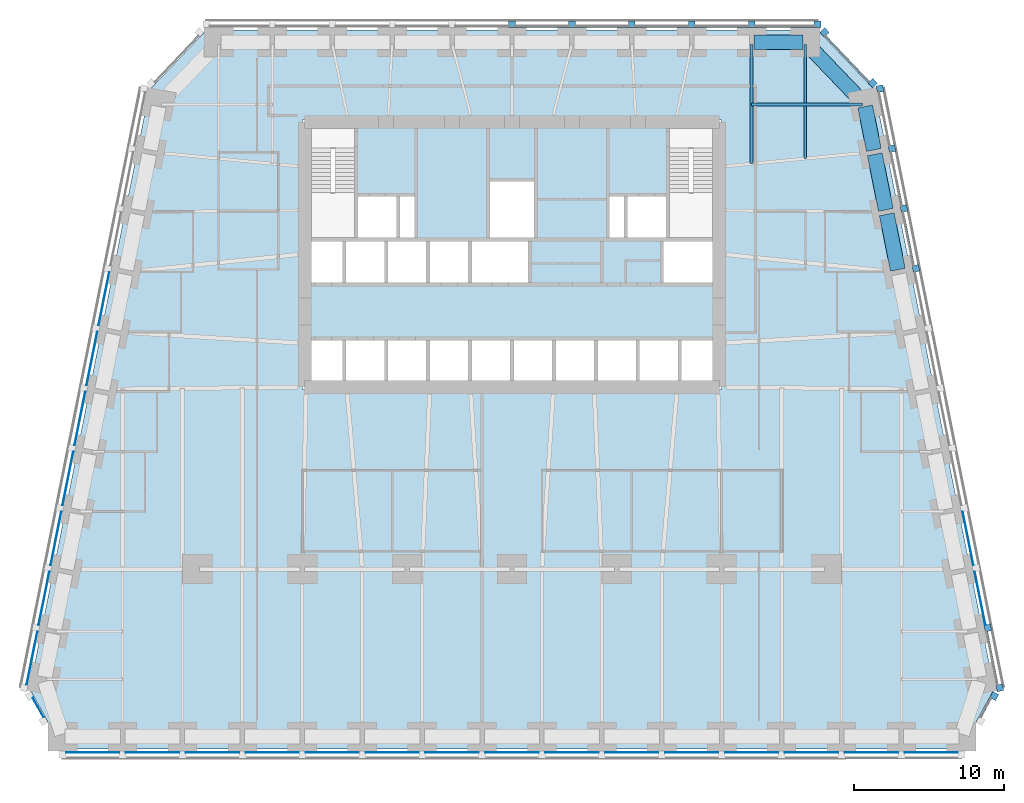
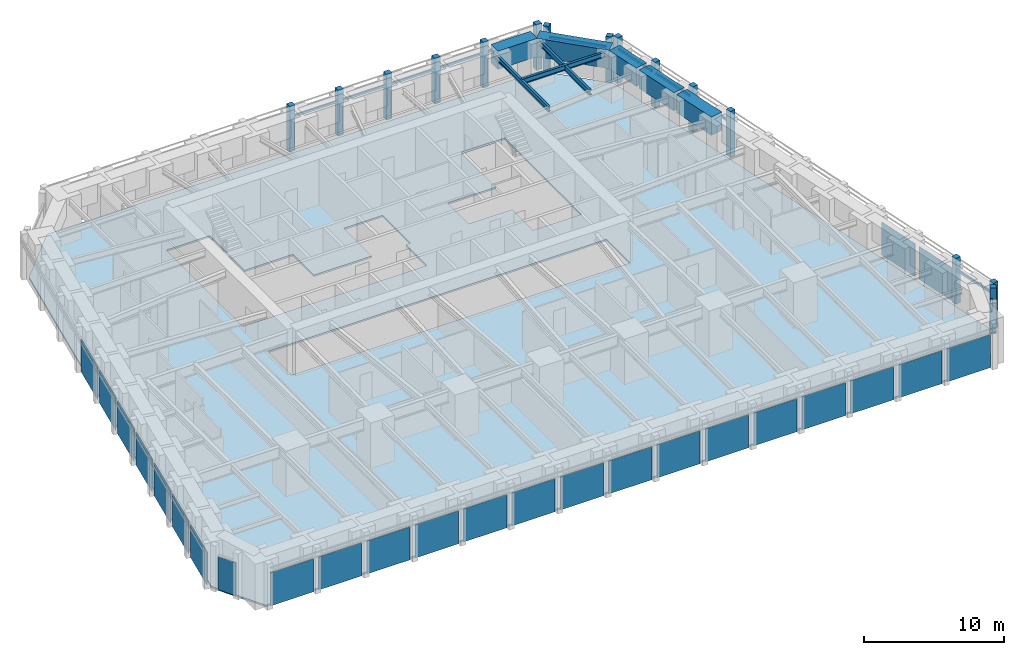
# One storey, part 4 of 10: 26 members, 25 plates, 8 beams, 1 slab, 7 elements without a shape of their own.
"""IFC4 building model written with IfcOpenShell, lengths in metres."""

from ifc_helpers import new_model, si_unit, direction, frame, origin, origin_2d, place, context, subcontext, project, spatial, polyline, rectangle, i_section, outline, extrude, material, layer, layer_set, material_profile, profile_set, type_object, element, aggregate, save


model = new_model("IFC4")

# Units and contexts
model_context = context("Model", 3, precision=1e-05, world=origin(), true_north=direction((0.0, 1.0)))
body_context = subcontext(model_context, "Body", "Model", "MODEL_VIEW")
ifc_project = project(units=[si_unit("LENGTHUNIT", "METRE"), si_unit("AREAUNIT", "SQUARE_METRE"), si_unit("VOLUMEUNIT", "CUBIC_METRE"), si_unit("PLANEANGLEUNIT", "RADIAN"), si_unit("MASSUNIT", "GRAM", prefix="KILO")], contexts=[model_context])

# Site, building, storey
site_placement = place(None, origin())
site = spatial("IfcSite", under=ifc_project, at=site_placement, CompositionType="ELEMENT")
building_placement = place(site_placement, origin())
building = spatial("IfcBuilding", under=site, at=building_placement, Name="Isbrekke Arena Tower", CompositionType="ELEMENT")
storey_placement = place(building_placement, frame((0.0, 0.0, 68.0)))
storey = spatial("IfcBuildingStorey", under=building, at=storey_placement, Name="L14", CompositionType="ELEMENT", Elevation=68.0)

# Beams
ifc_material_1 = material(Name="Steel S355", Category="steel")
ifc_material_profile_1 = material_profile(ifc_material_1, i_section(OverallWidth=0.18994140625, OverallDepth=0.449951171875, WebThickness=0.009521484375, FlangeThickness=0.0146484375, FilletRadius=0.02099609375, at=origin_2d()), Name="IPE 450")
ifc_profile_set_1 = profile_set([ifc_material_profile_1], Name="Steel S355")
beam_type_1 = type_object("IfcBeamType", Name="B2 IPE 450", PredefinedType="BEAM", material=ifc_profile_set_1)
beam_1_placement = place(storey_placement, frame((23.40283203125, 25.029296875, 3.625), z_axis=(-1.0, 0.0, 0.0), x_axis=(0.0, -1.0, 0.0)))
element("IfcBeam", 1, at=beam_1_placement, inside=storey, type_object=beam_type_1, Name="B2 beam E-E11 L14", PredefinedType="BEAM", context=body_context, shape_type="SweptSolid", body=[
    extrude(i_section(OverallWidth=0.18994140625, OverallDepth=0.449951171875, WebThickness=0.009521484375, FlangeThickness=0.0146484375, FilletRadius=0.02099609375, at=origin_2d()), origin(), (0.0, 0.0, 1.0), 7.40283203125),
])
ifc_material_2 = material(Name="Steel S355", Category="steel")
ifc_material_profile_2 = material_profile(ifc_material_2, i_section(OverallWidth=0.18994140625, OverallDepth=0.449951171875, WebThickness=0.009521484375, FlangeThickness=0.0146484375, FilletRadius=0.02099609375, at=origin_2d()), Name="IPE 450")
ifc_profile_set_2 = profile_set([ifc_material_profile_2], Name="Steel S355")
beam_type_2 = type_object("IfcBeamType", Name="B3 IPE 450", PredefinedType="BEAM", material=ifc_profile_set_2)
beam_2_placement = place(storey_placement, frame((19.574951171875, 29.02490234375, 3.625), z_axis=(0.0, -1.0, 0.0), x_axis=(1.0, 0.0, 0.0)))
element("IfcBeam", 2, at=beam_2_placement, inside=storey, type_object=beam_type_2, Name="B3 beam N-N01 L14", PredefinedType="BEAM", context=body_context, shape_type="SweptSolid", body=[
    extrude(i_section(OverallWidth=0.18994140625, OverallDepth=0.449951171875, WebThickness=0.009521484375, FlangeThickness=0.0146484375, FilletRadius=0.02099609375, at=origin_2d()), origin(), (0.0, 0.0, 1.0), 7.616943359375),
])
beam_3_placement = place(storey_placement, frame((16.0, 29.02490234375, 3.625), z_axis=(0.0, -1.0, 0.0), x_axis=(1.0, 0.0, 0.0)))
element("IfcBeam", 3, at=beam_3_placement, inside=storey, type_object=beam_type_2, Name="B3 beam N-N02 L14", PredefinedType="BEAM", context=body_context, shape_type="SweptSolid", body=[
    extrude(i_section(OverallWidth=0.18994140625, OverallDepth=0.449951171875, WebThickness=0.009521484375, FlangeThickness=0.0146484375, FilletRadius=0.02099609375, at=origin_2d()), origin(), (0.0, 0.0, 1.0), 7.961181640625),
])

# Curtain wall, member
ifc_material_3 = material(Name="Glazed aluminium curtain wall", Category="aluminium")
curtain_wall_type = type_object("IfcCurtainWallType", Name="CWL TOWER CURTAIN WALL LOW ZONE", PredefinedType="USERDEFINED", material=ifc_material_3)
curtain_wall_1_placement = place(storey_placement, origin())
curtain_wall_1 = element("IfcCurtainWall", 4, at=curtain_wall_1_placement, inside=storey, type_object=curtain_wall_type, Name="CWL curtain wall L14-SE", ObjectType="TOWER CURTAIN WALL LOW ZONE", PredefinedType="USERDEFINED")
ifc_material_4 = material(Name="Aluminium mullion, pale brick slip cladding", Category="masonry")
ifc_material_profile_3 = material_profile(ifc_material_4, rectangle(XDim=0.449951171875, YDim=0.449951171875, at=origin_2d()), Name="PIER 450X450")
ifc_profile_set_3 = profile_set([ifc_material_profile_3], Name="Aluminium mullion, pale brick slip cladding")
member_type_1 = type_object("IfcMemberType", Name="CWL-M PIER MULLION 450 x 450", PredefinedType="MULLION", material=ifc_profile_set_3)
member_1_placement = place(storey_placement, frame((32.195556640625, -14.47509765625, 0.0), z_axis=(0.0, 0.0, 1.0), x_axis=(0.481918749773, 0.876215908676, 0.0)))
member_1 = element("IfcMember", 5, at=member_1_placement, type_object=member_type_1, Name="CWL-M mullion 2", PredefinedType="MULLION", context=body_context, shape_type="SweptSolid", body=[
    extrude(rectangle(XDim=0.449951171875, YDim=0.449951171875, at=origin_2d()), origin(), (0.0, 0.0, 1.0), 4.0),
])

# Curtain wall, members
curtain_wall_2_placement = place(storey_placement, origin())
curtain_wall_2 = element("IfcCurtainWall", 6, at=curtain_wall_2_placement, inside=storey, type_object=curtain_wall_type, Name="CWL curtain wall L14-E", ObjectType="TOWER CURTAIN WALL LOW ZONE", PredefinedType="USERDEFINED")
member_2_placement = place(storey_placement, frame((32.567626953125, -13.926513671875, 0.0), z_axis=(0.0, 0.0, 1.0), x_axis=(-0.196116135138, 0.980580675691, 0.0)))
member_2 = element("IfcMember", 7, at=member_2_placement, type_object=member_type_1, Name="CWL-M mullion 1", PredefinedType="MULLION", context=body_context, shape_type="SweptSolid", body=[
    extrude(rectangle(XDim=0.449951171875, YDim=0.449951171875, at=origin_2d()), origin(), (0.0, 0.0, 1.0), 4.0),
])
member_3_placement = place(storey_placement, frame((31.767822265625, -9.926513671875, 0.0), z_axis=(0.0, 0.0, 1.0), x_axis=(-0.196116135138, 0.980580675691, 0.0)))
member_3 = element("IfcMember", 8, at=member_3_placement, type_object=member_type_1, Name="CWL-M mullion 2", PredefinedType="MULLION", context=body_context, shape_type="SweptSolid", body=[
    extrude(rectangle(XDim=0.449951171875, YDim=0.449951171875, at=origin_2d()), origin(), (0.0, 0.0, 1.0), 4.0),
])
member_4_placement = place(storey_placement, frame((26.9677734375, 14.073486328125, 0.0), z_axis=(0.0, 0.0, 1.0), x_axis=(-0.196116135138, 0.980580675691, 0.0)))
member_4 = element("IfcMember", 9, at=member_4_placement, type_object=member_type_1, Name="CWL-M mullion 8", PredefinedType="MULLION", context=body_context, shape_type="SweptSolid", body=[
    extrude(rectangle(XDim=0.449951171875, YDim=0.449951171875, at=origin_2d()), origin(), (0.0, 0.0, 1.0), 4.0),
])
member_5_placement = place(storey_placement, frame((26.167724609375, 18.073486328125, 0.0), z_axis=(0.0, 0.0, 1.0), x_axis=(-0.196116135138, 0.980580675691, 0.0)))
member_5 = element("IfcMember", 10, at=member_5_placement, type_object=member_type_1, Name="CWL-M mullion 9", PredefinedType="MULLION", context=body_context, shape_type="SweptSolid", body=[
    extrude(rectangle(XDim=0.449951171875, YDim=0.449951171875, at=origin_2d()), origin(), (0.0, 0.0, 1.0), 4.0),
])
member_6_placement = place(storey_placement, frame((25.36767578125, 22.073486328125, 0.0), z_axis=(0.0, 0.0, 1.0), x_axis=(-0.196116135138, 0.980580675691, 0.0)))
member_6 = element("IfcMember", 11, at=member_6_placement, type_object=member_type_1, Name="CWL-M mullion 10", PredefinedType="MULLION", context=body_context, shape_type="SweptSolid", body=[
    extrude(rectangle(XDim=0.449951171875, YDim=0.449951171875, at=origin_2d()), origin(), (0.0, 0.0, 1.0), 4.0),
])
member_7_placement = place(storey_placement, frame((24.567626953125, 26.073486328125, 0.0), z_axis=(0.0, 0.0, 1.0), x_axis=(-0.196116135138, 0.980580675691, 0.0)))
member_7 = element("IfcMember", 12, at=member_7_placement, type_object=member_type_1, Name="CWL-M mullion 11", PredefinedType="MULLION", context=body_context, shape_type="SweptSolid", body=[
    extrude(rectangle(XDim=0.449951171875, YDim=0.449951171875, at=origin_2d()), origin(), (0.0, 0.0, 1.0), 4.0),
])

curtain_wall_3_placement = place(storey_placement, origin())
curtain_wall_3 = element("IfcCurtainWall", 13, at=curtain_wall_3_placement, inside=storey, type_object=curtain_wall_type, Name="CWL curtain wall L14-EN", ObjectType="TOWER CURTAIN WALL LOW ZONE", PredefinedType="USERDEFINED")
member_8_placement = place(storey_placement, frame((24.08837890625, 26.444091796875, 0.0), z_axis=(0.0, 0.0, 1.0), x_axis=(-0.68874946192, 0.72499943359, 0.0)))
member_8 = element("IfcMember", 14, at=member_8_placement, type_object=member_type_1, Name="CWL-M mullion 1", PredefinedType="MULLION", context=body_context, shape_type="SweptSolid", body=[
    extrude(rectangle(XDim=0.449951171875, YDim=0.449951171875, at=origin_2d()), origin(), (0.0, 0.0, 1.0), 4.0),
])
member_9_placement = place(storey_placement, frame((20.86572265625, 29.83642578125, 0.0), z_axis=(0.0, 0.0, 1.0), x_axis=(-0.68874946192, 0.72499943359, 0.0)))
member_9 = element("IfcMember", 15, at=member_9_placement, type_object=member_type_1, Name="CWL-M mullion 2", PredefinedType="MULLION", context=body_context, shape_type="SweptSolid", body=[
    extrude(rectangle(XDim=0.449951171875, YDim=0.449951171875, at=origin_2d()), origin(), (0.0, 0.0, 1.0), 4.0),
])

curtain_wall_4_placement = place(storey_placement, origin())
curtain_wall_4 = element("IfcCurtainWall", 16, at=curtain_wall_4_placement, inside=storey, type_object=curtain_wall_type, Name="CWL curtain wall L14-N", ObjectType="TOWER CURTAIN WALL LOW ZONE", PredefinedType="USERDEFINED")
member_10_placement = place(storey_placement, frame((20.39990234375, 30.375, 0.0), z_axis=(0.0, 0.0, 1.0), x_axis=(-1.0, 0.0, 0.0)))
member_10 = element("IfcMember", 17, at=member_10_placement, type_object=member_type_1, Name="CWL-M mullion 1", PredefinedType="MULLION", context=body_context, shape_type="SweptSolid", body=[
    extrude(rectangle(XDim=0.449951171875, YDim=0.449951171875, at=origin_2d()), origin(), (0.0, 0.0, 1.0), 4.0),
])
member_11_placement = place(storey_placement, frame((16.0, 30.375, 0.0), z_axis=(0.0, 0.0, 1.0), x_axis=(-1.0, 0.0, 0.0)))
member_11 = element("IfcMember", 18, at=member_11_placement, type_object=member_type_1, Name="CWL-M mullion 2", PredefinedType="MULLION", context=body_context, shape_type="SweptSolid", body=[
    extrude(rectangle(XDim=0.449951171875, YDim=0.449951171875, at=origin_2d()), origin(), (0.0, 0.0, 1.0), 4.0),
])
member_12_placement = place(storey_placement, frame((12.0, 30.375, 0.0), z_axis=(0.0, 0.0, 1.0), x_axis=(-1.0, 0.0, 0.0)))
member_12 = element("IfcMember", 19, at=member_12_placement, type_object=member_type_1, Name="CWL-M mullion 3", PredefinedType="MULLION", context=body_context, shape_type="SweptSolid", body=[
    extrude(rectangle(XDim=0.449951171875, YDim=0.449951171875, at=origin_2d()), origin(), (0.0, 0.0, 1.0), 4.0),
])
member_13_placement = place(storey_placement, frame((8.0, 30.375, 0.0), z_axis=(0.0, 0.0, 1.0), x_axis=(-1.0, 0.0, 0.0)))
member_13 = element("IfcMember", 20, at=member_13_placement, type_object=member_type_1, Name="CWL-M mullion 4", PredefinedType="MULLION", context=body_context, shape_type="SweptSolid", body=[
    extrude(rectangle(XDim=0.449951171875, YDim=0.449951171875, at=origin_2d()), origin(), (0.0, 0.0, 1.0), 4.0),
])
member_14_placement = place(storey_placement, frame((4.0, 30.375, 0.0), z_axis=(0.0, 0.0, 1.0), x_axis=(-1.0, 0.0, 0.0)))
member_14 = element("IfcMember", 21, at=member_14_placement, type_object=member_type_1, Name="CWL-M mullion 5", PredefinedType="MULLION", context=body_context, shape_type="SweptSolid", body=[
    extrude(rectangle(XDim=0.449951171875, YDim=0.449951171875, at=origin_2d()), origin(), (0.0, 0.0, 1.0), 4.0),
])
member_15_placement = place(storey_placement, frame((0.0, 30.375, 0.0), z_axis=(0.0, 0.0, 1.0), x_axis=(-1.0, 0.0, 0.0)))
member_15 = element("IfcMember", 22, at=member_15_placement, type_object=member_type_1, Name="CWL-M mullion 6", PredefinedType="MULLION", context=body_context, shape_type="SweptSolid", body=[
    extrude(rectangle(XDim=0.449951171875, YDim=0.449951171875, at=origin_2d()), origin(), (0.0, 0.0, 1.0), 4.0),
])

# Member
ifc_material_5 = material(Name="Aluminium transom", Category="aluminium")
ifc_material_profile_4 = material_profile(ifc_material_5, rectangle(XDim=0.1201171875, YDim=0.199951171875, at=origin_2d()), Name="TRANSOM 120X200")
ifc_profile_set_4 = profile_set([ifc_material_profile_4], Name="Aluminium transom")
member_type_2 = type_object("IfcMemberType", Name="CWL-T TRANSOM 120 x 200", PredefinedType="USERDEFINED", material=ifc_profile_set_4)
member_16_placement = place(storey_placement, frame((31.277099609375, -15.88525390625, 3.0), z_axis=(0.481944543569, 0.876201721594, 0.0), x_axis=(-0.876201721594, 0.481944543569, 0.0)))
member_16 = element("IfcMember", 23, at=member_16_placement, type_object=member_type_2, Name="CWL-T transom 1", ObjectType="TRANSOM", PredefinedType="USERDEFINED", context=body_context, shape_type="SweptSolid", body=[
    extrude(rectangle(XDim=0.1201171875, YDim=0.199951171875, at=origin_2d()), origin(), (0.0, 0.0, 1.0), 1.453369140625),
])

aggregate(curtain_wall_1, [member_1, member_16])

member_17_placement = place(storey_placement, frame((32.401123046875, -13.730224609375, 3.0), z_axis=(-0.196167883278, 0.980570324643, 0.0), x_axis=(-0.980570324643, -0.196167883278, 0.0)))
member_17 = element("IfcMember", 24, at=member_17_placement, type_object=member_type_2, Name="CWL-T transom 1", ObjectType="TRANSOM", PredefinedType="USERDEFINED", context=body_context, shape_type="SweptSolid", body=[
    extrude(rectangle(XDim=0.1201171875, YDim=0.199951171875, at=origin_2d()), origin(), (0.0, 0.0, 1.0), 3.629150390625),
])

member_18_placement = place(storey_placement, frame((26.801025390625, 14.269775390625, 3.0), z_axis=(-0.196103197847, 0.98058326306, 0.0), x_axis=(-0.98058326306, -0.196103197847, 0.0)))
member_18 = element("IfcMember", 25, at=member_18_placement, type_object=member_type_2, Name="CWL-T transom 8", ObjectType="TRANSOM", PredefinedType="USERDEFINED", context=body_context, shape_type="SweptSolid", body=[
    extrude(rectangle(XDim=0.1201171875, YDim=0.199951171875, at=origin_2d()), origin(), (0.0, 0.0, 1.0), 3.629150390625),
])

member_19_placement = place(storey_placement, frame((26.0009765625, 18.269775390625, 3.0), z_axis=(-0.196103197847, 0.98058326306, 0.0), x_axis=(-0.98058326306, -0.196103197847, 0.0)))
member_19 = element("IfcMember", 26, at=member_19_placement, type_object=member_type_2, Name="CWL-T transom 9", ObjectType="TRANSOM", PredefinedType="USERDEFINED", context=body_context, shape_type="SweptSolid", body=[
    extrude(rectangle(XDim=0.1201171875, YDim=0.199951171875, at=origin_2d()), origin(), (0.0, 0.0, 1.0), 3.629150390625),
])

member_20_placement = place(storey_placement, frame((25.200927734375, 22.269775390625, 3.0), z_axis=(-0.196103197847, 0.98058326306, 0.0), x_axis=(-0.98058326306, -0.196103197847, 0.0)))
member_20 = element("IfcMember", 27, at=member_20_placement, type_object=member_type_2, Name="CWL-T transom 10", ObjectType="TRANSOM", PredefinedType="USERDEFINED", context=body_context, shape_type="SweptSolid", body=[
    extrude(rectangle(XDim=0.1201171875, YDim=0.199951171875, at=origin_2d()), origin(), (0.0, 0.0, 1.0), 3.629150390625),
])

member_21_placement = place(storey_placement, frame((23.8427734375, 26.521240234375, 3.0), z_axis=(-0.688776771287, 0.724973488712, 0.0), x_axis=(-0.724973488712, -0.688776771287, 0.0)))
member_21 = element("IfcMember", 28, at=member_21_placement, type_object=member_type_2, Name="CWL-T transom 1", ObjectType="TRANSOM", PredefinedType="USERDEFINED", context=body_context, shape_type="SweptSolid", body=[
    extrude(rectangle(XDim=0.1201171875, YDim=0.199951171875, at=origin_2d()), origin(), (0.0, 0.0, 1.0), 4.22900390625),
])

aggregate(curtain_wall_3, [member_8, member_9, member_21])

member_22_placement = place(storey_placement, frame((20.175048828125, 30.25, 3.0), z_axis=(-1.0, 0.0, 0.0), x_axis=(0.0, -1.0, 0.0)))
member_22 = element("IfcMember", 29, at=member_22_placement, type_object=member_type_2, Name="CWL-T transom 1", ObjectType="TRANSOM", PredefinedType="USERDEFINED", context=body_context, shape_type="SweptSolid", body=[
    extrude(rectangle(XDim=0.1201171875, YDim=0.199951171875, at=origin_2d()), origin(), (0.0, 0.0, 1.0), 3.949951171875),
])

member_23_placement = place(storey_placement, frame((15.77490234375, 30.25, 3.0), z_axis=(-1.0, 0.0, 0.0), x_axis=(0.0, -1.0, 0.0)))
member_23 = element("IfcMember", 30, at=member_23_placement, type_object=member_type_2, Name="CWL-T transom 2", ObjectType="TRANSOM", PredefinedType="USERDEFINED", context=body_context, shape_type="SweptSolid", body=[
    extrude(rectangle(XDim=0.1201171875, YDim=0.199951171875, at=origin_2d()), origin(), (0.0, 0.0, 1.0), 3.5498046875),
])

member_24_placement = place(storey_placement, frame((11.77490234375, 30.25, 3.0), z_axis=(-1.0, 0.0, 0.0), x_axis=(0.0, -1.0, 0.0)))
member_24 = element("IfcMember", 31, at=member_24_placement, type_object=member_type_2, Name="CWL-T transom 3", ObjectType="TRANSOM", PredefinedType="USERDEFINED", context=body_context, shape_type="SweptSolid", body=[
    extrude(rectangle(XDim=0.1201171875, YDim=0.199951171875, at=origin_2d()), origin(), (0.0, 0.0, 1.0), 3.5498046875),
])

member_25_placement = place(storey_placement, frame((7.77490234375, 30.25, 3.0), z_axis=(-1.0, 0.0, 0.0), x_axis=(0.0, -1.0, 0.0)))
member_25 = element("IfcMember", 32, at=member_25_placement, type_object=member_type_2, Name="CWL-T transom 4", ObjectType="TRANSOM", PredefinedType="USERDEFINED", context=body_context, shape_type="SweptSolid", body=[
    extrude(rectangle(XDim=0.1201171875, YDim=0.199951171875, at=origin_2d()), origin(), (0.0, 0.0, 1.0), 3.5498046875),
])

member_26_placement = place(storey_placement, frame((3.77490234375, 30.25, 3.0), z_axis=(-1.0, 0.0, 0.0), x_axis=(0.0, -1.0, 0.0)))
member_26 = element("IfcMember", 33, at=member_26_placement, type_object=member_type_2, Name="CWL-T transom 5", ObjectType="TRANSOM", PredefinedType="USERDEFINED", context=body_context, shape_type="SweptSolid", body=[
    extrude(rectangle(XDim=0.1201171875, YDim=0.199951171875, at=origin_2d()), origin(), (0.0, 0.0, 1.0), 3.5498046875),
])

aggregate(curtain_wall_4, [member_10, member_11, member_12, member_13, member_14, member_15, member_22, member_23, member_24, member_25, member_26])

# Beams
ifc_material_6 = material(Name="Concrete B90 (C90/105)", Category="concrete")
ifc_material_profile_5 = material_profile(ifc_material_6, rectangle(XDim=1.0, YDim=1.60009765625, at=origin_2d()), Name="RC 1000x1600")
ifc_profile_set_5 = profile_set([ifc_material_profile_5], Name="Concrete B90 (C90/105)")
beam_type_3 = type_object("IfcBeamType", Name="SB1 RC 1000 x 1600", PredefinedType="SPANDREL", material=ifc_profile_set_5)
for number, where, z_axis, x_axis, name in (
    (34, (25.76171875, 13.9853515625, 3.199951171875), (-0.196128558387, 0.980578190959, 0.0), (-0.980578190959, -0.196128558387, 0.0), "SB1 spandrel E08-E09 L14"),
    (35, (24.961669921875, 17.9853515625, 3.199951171875), (-0.196128558387, 0.980578190959, 0.0), (-0.980578190959, -0.196128558387, 0.0), "SB1 spandrel E09-E10 L14"),
):
    element("IfcBeam", number, at=place(storey_placement, frame(where, z_axis=z_axis, x_axis=x_axis)), inside=storey, type_object=beam_type_3, Name=name, PredefinedType="SPANDREL", context=body_context, shape_type="SweptSolid", body=[
        extrude(rectangle(XDim=1.0, YDim=1.60009765625, at=origin_2d()), origin(), (0.0, 0.0, 1.0), 3.779296875),
    ])
beam_4_placement = place(storey_placement, frame((24.16162109375, 21.9853515625, 3.199951171875), z_axis=(-0.196116135138, 0.980580675691, 0.0), x_axis=(-0.980580675691, -0.196116135138, 0.0)))
element("IfcBeam", 36, at=beam_4_placement, inside=storey, type_object=beam_type_3, Name="SB1 spandrel E10-E11 L14", PredefinedType="SPANDREL", context=body_context, shape_type="SweptSolid", body=[
    extrude(rectangle(XDim=1.0, YDim=1.60009765625, at=origin_2d()), origin(), (0.0, 0.0, 1.0), 2.9541015625),
])
beam_5_placement = place(storey_placement, frame((23.448974609375, 25.137451171875, 3.199951171875), z_axis=(-0.692339547635, 0.721571861134, 0.0), x_axis=(-0.721571861134, -0.692339547635, 0.0)))
element("IfcBeam", 37, at=beam_5_placement, inside=storey, type_object=beam_type_3, Name="SB1 spandrel E11-N01 L14", PredefinedType="SPANDREL", context=body_context, shape_type="SweptSolid", body=[
    extrude(rectangle(XDim=1.0, YDim=1.60009765625, at=origin_2d()), origin(), (0.0, 0.0, 1.0), 5.4453125),
])
beam_6_placement = place(storey_placement, frame((19.425048828125, 29.175048828125, 3.199951171875), z_axis=(-1.0, 0.0, 0.0), x_axis=(0.0, -1.0, 0.0)))
element("IfcBeam", 38, at=beam_6_placement, inside=storey, type_object=beam_type_3, Name="SB1 spandrel N01-N02 L14", PredefinedType="SPANDREL", context=body_context, shape_type="SweptSolid", body=[
    extrude(rectangle(XDim=1.0, YDim=1.60009765625, at=origin_2d()), origin(), (0.0, 0.0, 1.0), 3.275146484375),
])

# Curtain wall, plates
curtain_wall_5_placement = place(storey_placement, origin())
curtain_wall_5 = element("IfcCurtainWall", 39, at=curtain_wall_5_placement, inside=storey, type_object=curtain_wall_type, Name="CWL curtain wall L14-S", ObjectType="TOWER CURTAIN WALL LOW ZONE", PredefinedType="USERDEFINED")
ifc_material_7 = material(Name="Triple-glazed clear glass unit", Category="glass")
ifc_layer_1 = layer(ifc_material_7, 0.031982421875)
ifc_layer_set_1 = layer_set([ifc_layer_1], Name="CWL-P VISION PANEL")
plate_type = type_object("IfcPlateType", Name="CWL-P VISION PANEL", PredefinedType="CURTAIN_PANEL", material=ifc_layer_set_1)
plate_1_placement = place(storey_placement, frame((-28.0, -18.25, 0.02001953125), z_axis=(0.0, 0.0, 1.0), x_axis=(1.0, 0.0, 0.0)))
plate_1 = element("IfcPlate", 40, at=plate_1_placement, type_object=plate_type, Name="CWL-P panel 1", PredefinedType="CURTAIN_PANEL", context=body_context, shape_type="SweptSolid", body=[
    extrude(rectangle(XDim=3.550048828125, YDim=0.031982421875, at=origin_2d()), origin(), (0.0, 0.0, 1.0), 2.8798828125),
])
plate_2_placement = place(storey_placement, frame((-24.0, -18.25, 0.02001953125), z_axis=(0.0, 0.0, 1.0), x_axis=(1.0, 0.0, 0.0)))
plate_2 = element("IfcPlate", 41, at=plate_2_placement, type_object=plate_type, Name="CWL-P panel 2", PredefinedType="CURTAIN_PANEL", context=body_context, shape_type="SweptSolid", body=[
    extrude(rectangle(XDim=3.550048828125, YDim=0.031982421875, at=origin_2d()), origin(), (0.0, 0.0, 1.0), 2.8798828125),
])
plate_3_placement = place(storey_placement, frame((-20.0, -18.25, 0.02001953125), z_axis=(0.0, 0.0, 1.0), x_axis=(1.0, 0.0, 0.0)))
plate_3 = element("IfcPlate", 42, at=plate_3_placement, type_object=plate_type, Name="CWL-P panel 3", PredefinedType="CURTAIN_PANEL", context=body_context, shape_type="SweptSolid", body=[
    extrude(rectangle(XDim=3.550048828125, YDim=0.031982421875, at=origin_2d()), origin(), (0.0, 0.0, 1.0), 2.8798828125),
])
plate_4_placement = place(storey_placement, frame((-16.0, -18.25, 0.02001953125), z_axis=(0.0, 0.0, 1.0), x_axis=(1.0, 0.0, 0.0)))
plate_4 = element("IfcPlate", 43, at=plate_4_placement, type_object=plate_type, Name="CWL-P panel 4", PredefinedType="CURTAIN_PANEL", context=body_context, shape_type="SweptSolid", body=[
    extrude(rectangle(XDim=3.550048828125, YDim=0.031982421875, at=origin_2d()), origin(), (0.0, 0.0, 1.0), 2.8798828125),
])
plate_5_placement = place(storey_placement, frame((-12.0, -18.25, 0.02001953125), z_axis=(0.0, 0.0, 1.0), x_axis=(1.0, 0.0, 0.0)))
plate_5 = element("IfcPlate", 44, at=plate_5_placement, type_object=plate_type, Name="CWL-P panel 5", PredefinedType="CURTAIN_PANEL", context=body_context, shape_type="SweptSolid", body=[
    extrude(rectangle(XDim=3.550048828125, YDim=0.031982421875, at=origin_2d()), origin(), (0.0, 0.0, 1.0), 2.8798828125),
])
plate_6_placement = place(storey_placement, frame((-8.0, -18.25, 0.02001953125), z_axis=(0.0, 0.0, 1.0), x_axis=(1.0, 0.0, 0.0)))
plate_6 = element("IfcPlate", 45, at=plate_6_placement, type_object=plate_type, Name="CWL-P panel 6", PredefinedType="CURTAIN_PANEL", context=body_context, shape_type="SweptSolid", body=[
    extrude(rectangle(XDim=3.550048828125, YDim=0.031982421875, at=origin_2d()), origin(), (0.0, 0.0, 1.0), 2.8798828125),
])
plate_7_placement = place(storey_placement, frame((-4.0, -18.25, 0.02001953125), z_axis=(0.0, 0.0, 1.0), x_axis=(1.0, 0.0, 0.0)))
plate_7 = element("IfcPlate", 46, at=plate_7_placement, type_object=plate_type, Name="CWL-P panel 7", PredefinedType="CURTAIN_PANEL", context=body_context, shape_type="SweptSolid", body=[
    extrude(rectangle(XDim=3.550048828125, YDim=0.031982421875, at=origin_2d()), origin(), (0.0, 0.0, 1.0), 2.8798828125),
])
plate_8_placement = place(storey_placement, frame((0.0, -18.25, 0.02001953125), z_axis=(0.0, 0.0, 1.0), x_axis=(1.0, 0.0, 0.0)))
plate_8 = element("IfcPlate", 47, at=plate_8_placement, type_object=plate_type, Name="CWL-P panel 8", PredefinedType="CURTAIN_PANEL", context=body_context, shape_type="SweptSolid", body=[
    extrude(rectangle(XDim=3.550048828125, YDim=0.031982421875, at=origin_2d()), origin(), (0.0, 0.0, 1.0), 2.8798828125),
])
plate_9_placement = place(storey_placement, frame((4.0, -18.25, 0.02001953125), z_axis=(0.0, 0.0, 1.0), x_axis=(1.0, 0.0, 0.0)))
plate_9 = element("IfcPlate", 48, at=plate_9_placement, type_object=plate_type, Name="CWL-P panel 9", PredefinedType="CURTAIN_PANEL", context=body_context, shape_type="SweptSolid", body=[
    extrude(rectangle(XDim=3.550048828125, YDim=0.031982421875, at=origin_2d()), origin(), (0.0, 0.0, 1.0), 2.8798828125),
])
plate_10_placement = place(storey_placement, frame((8.0, -18.25, 0.02001953125), z_axis=(0.0, 0.0, 1.0), x_axis=(1.0, 0.0, 0.0)))
plate_10 = element("IfcPlate", 49, at=plate_10_placement, type_object=plate_type, Name="CWL-P panel 10", PredefinedType="CURTAIN_PANEL", context=body_context, shape_type="SweptSolid", body=[
    extrude(rectangle(XDim=3.550048828125, YDim=0.031982421875, at=origin_2d()), origin(), (0.0, 0.0, 1.0), 2.8798828125),
])
plate_11_placement = place(storey_placement, frame((12.0, -18.25, 0.02001953125), z_axis=(0.0, 0.0, 1.0), x_axis=(1.0, 0.0, 0.0)))
plate_11 = element("IfcPlate", 50, at=plate_11_placement, type_object=plate_type, Name="CWL-P panel 11", PredefinedType="CURTAIN_PANEL", context=body_context, shape_type="SweptSolid", body=[
    extrude(rectangle(XDim=3.550048828125, YDim=0.031982421875, at=origin_2d()), origin(), (0.0, 0.0, 1.0), 2.8798828125),
])
plate_12_placement = place(storey_placement, frame((16.0, -18.25, 0.02001953125), z_axis=(0.0, 0.0, 1.0), x_axis=(1.0, 0.0, 0.0)))
plate_12 = element("IfcPlate", 51, at=plate_12_placement, type_object=plate_type, Name="CWL-P panel 12", PredefinedType="CURTAIN_PANEL", context=body_context, shape_type="SweptSolid", body=[
    extrude(rectangle(XDim=3.550048828125, YDim=0.031982421875, at=origin_2d()), origin(), (0.0, 0.0, 1.0), 2.8798828125),
])
plate_13_placement = place(storey_placement, frame((20.0, -18.25, 0.02001953125), z_axis=(0.0, 0.0, 1.0), x_axis=(1.0, 0.0, 0.0)))
plate_13 = element("IfcPlate", 52, at=plate_13_placement, type_object=plate_type, Name="CWL-P panel 13", PredefinedType="CURTAIN_PANEL", context=body_context, shape_type="SweptSolid", body=[
    extrude(rectangle(XDim=3.550048828125, YDim=0.031982421875, at=origin_2d()), origin(), (0.0, 0.0, 1.0), 2.8798828125),
])
plate_14_placement = place(storey_placement, frame((24.0, -18.25, 0.02001953125), z_axis=(0.0, 0.0, 1.0), x_axis=(1.0, 0.0, 0.0)))
plate_14 = element("IfcPlate", 53, at=plate_14_placement, type_object=plate_type, Name="CWL-P panel 14", PredefinedType="CURTAIN_PANEL", context=body_context, shape_type="SweptSolid", body=[
    extrude(rectangle(XDim=3.550048828125, YDim=0.031982421875, at=origin_2d()), origin(), (0.0, 0.0, 1.0), 2.8798828125),
])
plate_15_placement = place(storey_placement, frame((28.0, -18.25, 0.02001953125), z_axis=(0.0, 0.0, 1.0), x_axis=(1.0, 0.0, 0.0)))
plate_15 = element("IfcPlate", 54, at=plate_15_placement, type_object=plate_type, Name="CWL-P panel 15", PredefinedType="CURTAIN_PANEL", context=body_context, shape_type="SweptSolid", body=[
    extrude(rectangle(XDim=3.550048828125, YDim=0.031982421875, at=origin_2d()), origin(), (0.0, 0.0, 1.0), 2.8798828125),
])
aggregate(curtain_wall_5, [plate_1, plate_2, plate_3, plate_4, plate_5, plate_6, plate_7, plate_8, plate_9, plate_10, plate_11, plate_12, plate_13, plate_14, plate_15])

# Plate
plate_16_placement = place(storey_placement, frame((31.2451171875, -7.950927734375, 0.02001953125), z_axis=(0.0, 0.0, 1.0), x_axis=(-0.196116135138, 0.980580675691, 0.0)))
plate_16 = element("IfcPlate", 55, at=plate_16_placement, type_object=plate_type, Name="CWL-P panel 2", PredefinedType="CURTAIN_PANEL", context=body_context, shape_type="SweptSolid", body=[
    extrude(rectangle(XDim=3.629150390625, YDim=0.031982421875, at=origin_2d()), origin(), (0.0, 0.0, 1.0), 2.8798828125),
])

plate_17_placement = place(storey_placement, frame((30.445068359375, -3.950927734375, 0.02001953125), z_axis=(0.0, 0.0, 1.0), x_axis=(-0.196116135138, 0.980580675691, 0.0)))
plate_17 = element("IfcPlate", 56, at=plate_17_placement, type_object=plate_type, Name="CWL-P panel 3", PredefinedType="CURTAIN_PANEL", context=body_context, shape_type="SweptSolid", body=[
    extrude(rectangle(XDim=3.629150390625, YDim=0.031982421875, at=origin_2d()), origin(), (0.0, 0.0, 1.0), 2.8798828125),
])

aggregate(curtain_wall_2, [member_2, member_3, member_4, member_5, member_6, member_7, member_17, plate_16, plate_17, member_18, member_19, member_20])

# Curtain wall, plates
curtain_wall_6_placement = place(storey_placement, origin())
curtain_wall_6 = element("IfcCurtainWall", 57, at=curtain_wall_6_placement, inside=storey, type_object=curtain_wall_type, Name="CWL curtain wall L14-W", ObjectType="TOWER CURTAIN WALL LOW ZONE", PredefinedType="USERDEFINED")
plate_18_placement = place(storey_placement, frame((-27.2451171875, 12.049072265625, 0.02001953125), z_axis=(0.0, 0.0, 1.0), x_axis=(-0.196116135138, -0.980580675691, 0.0)))
plate_18 = element("IfcPlate", 58, at=plate_18_placement, type_object=plate_type, Name="CWL-P panel 4", PredefinedType="CURTAIN_PANEL", context=body_context, shape_type="SweptSolid", body=[
    extrude(rectangle(XDim=3.629150390625, YDim=0.031982421875, at=origin_2d()), origin(), (0.0, 0.0, 1.0), 2.8798828125),
])
plate_19_placement = place(storey_placement, frame((-28.045166015625, 8.049072265625, 0.02001953125), z_axis=(0.0, 0.0, 1.0), x_axis=(-0.196116135138, -0.980580675691, 0.0)))
plate_19 = element("IfcPlate", 59, at=plate_19_placement, type_object=plate_type, Name="CWL-P panel 5", PredefinedType="CURTAIN_PANEL", context=body_context, shape_type="SweptSolid", body=[
    extrude(rectangle(XDim=3.629150390625, YDim=0.031982421875, at=origin_2d()), origin(), (0.0, 0.0, 1.0), 2.8798828125),
])
plate_20_placement = place(storey_placement, frame((-28.84521484375, 4.049072265625, 0.02001953125), z_axis=(0.0, 0.0, 1.0), x_axis=(-0.196116135138, -0.980580675691, 0.0)))
plate_20 = element("IfcPlate", 60, at=plate_20_placement, type_object=plate_type, Name="CWL-P panel 6", PredefinedType="CURTAIN_PANEL", context=body_context, shape_type="SweptSolid", body=[
    extrude(rectangle(XDim=3.629150390625, YDim=0.031982421875, at=origin_2d()), origin(), (0.0, 0.0, 1.0), 2.8798828125),
])
plate_21_placement = place(storey_placement, frame((-29.645263671875, 0.049072265625, 0.02001953125), z_axis=(0.0, 0.0, 1.0), x_axis=(-0.196116135138, -0.980580675691, 0.0)))
plate_21 = element("IfcPlate", 61, at=plate_21_placement, type_object=plate_type, Name="CWL-P panel 7", PredefinedType="CURTAIN_PANEL", context=body_context, shape_type="SweptSolid", body=[
    extrude(rectangle(XDim=3.629150390625, YDim=0.031982421875, at=origin_2d()), origin(), (0.0, 0.0, 1.0), 2.8798828125),
])
plate_22_placement = place(storey_placement, frame((-30.445068359375, -3.950927734375, 0.02001953125), z_axis=(0.0, 0.0, 1.0), x_axis=(-0.196116135138, -0.980580675691, 0.0)))
plate_22 = element("IfcPlate", 62, at=plate_22_placement, type_object=plate_type, Name="CWL-P panel 8", PredefinedType="CURTAIN_PANEL", context=body_context, shape_type="SweptSolid", body=[
    extrude(rectangle(XDim=3.629150390625, YDim=0.031982421875, at=origin_2d()), origin(), (0.0, 0.0, 1.0), 2.8798828125),
])
plate_23_placement = place(storey_placement, frame((-31.2451171875, -7.950927734375, 0.02001953125), z_axis=(0.0, 0.0, 1.0), x_axis=(-0.196116135138, -0.980580675691, 0.0)))
plate_23 = element("IfcPlate", 63, at=plate_23_placement, type_object=plate_type, Name="CWL-P panel 9", PredefinedType="CURTAIN_PANEL", context=body_context, shape_type="SweptSolid", body=[
    extrude(rectangle(XDim=3.629150390625, YDim=0.031982421875, at=origin_2d()), origin(), (0.0, 0.0, 1.0), 2.8798828125),
])
plate_24_placement = place(storey_placement, frame((-32.045166015625, -11.950927734375, 0.02001953125), z_axis=(0.0, 0.0, 1.0), x_axis=(-0.196116135138, -0.980580675691, 0.0)))
plate_24 = element("IfcPlate", 64, at=plate_24_placement, type_object=plate_type, Name="CWL-P panel 10", PredefinedType="CURTAIN_PANEL", context=body_context, shape_type="SweptSolid", body=[
    extrude(rectangle(XDim=3.629150390625, YDim=0.031982421875, at=origin_2d()), origin(), (0.0, 0.0, 1.0), 2.8798828125),
])
aggregate(curtain_wall_6, [plate_18, plate_19, plate_20, plate_21, plate_22, plate_23, plate_24])

# Curtain wall, plate
curtain_wall_7_placement = place(storey_placement, origin())
curtain_wall_7 = element("IfcCurtainWall", 65, at=curtain_wall_7_placement, inside=storey, type_object=curtain_wall_type, Name="CWL curtain wall L14-WS", ObjectType="TOWER CURTAIN WALL LOW ZONE", PredefinedType="USERDEFINED")
plate_25_placement = place(storey_placement, frame((-31.627197265625, -15.2490234375, 0.02001953125), z_axis=(0.0, 0.0, 1.0), x_axis=(0.481918749773, -0.876215908676, 0.0)))
plate_25 = element("IfcPlate", 66, at=plate_25_placement, type_object=plate_type, Name="CWL-P panel 1", PredefinedType="CURTAIN_PANEL", context=body_context, shape_type="SweptSolid", body=[
    extrude(rectangle(XDim=1.455322265625, YDim=0.031982421875, at=origin_2d()), origin(), (0.0, 0.0, 1.0), 2.8798828125),
])
aggregate(curtain_wall_7, [plate_25])

# Slab
ifc_material_8 = material(Name="Concrete B35 (C35/45)", Category="concrete")
ifc_layer_2 = layer(ifc_material_8, 0.14990234375)
ifc_layer_set_2 = layer_set([ifc_layer_2], Name="FS1 COMPOSITE FLOOR 150")
slab_type = type_object("IfcSlabType", Name="FS1 COMPOSITE FLOOR 150", PredefinedType="FLOOR", material=ifc_layer_set_2)
slab_placement = place(storey_placement, frame((0.0, 0.0, -0.14990234375)))
element("IfcSlab", 67, at=slab_placement, inside=storey, type_object=slab_type, Name="FS1 floor slab L14", PredefinedType="FLOOR", context=body_context, shape_type="SweptSolid", body=[
    extrude(outline(polyline([(-30.0, -18.0), (30.0, -18.0), (32.199951171875, -14.0), (24.199951171875, 26.0), (20.39990234375, 30.0), (-20.39990234375, 30.0), (-24.199951171875, 26.0), (-32.199951171875, -14.0), (-30.0, -18.0)]), holes=[polyline([(14.0, 9.39990234375), (14.0, 6.0), (-14.0, 6.0), (-14.0, 9.39990234375), (14.0, 9.39990234375)]), polyline([(-6.39990234375, 19.0), (-6.39990234375, 16.0), (-1.60009765625, 16.0), (-1.60009765625, 20.0), (1.60009765625, 20.0), (1.60009765625, 16.0), (1.199951171875, 16.0), (1.199951171875, 13.0), (-14.0, 13.0), (-14.0, 24.0), (-10.39990234375, 24.0), (-10.39990234375, 19.0), (-6.39990234375, 19.0)]), polyline([(10.0, 13.0), (10.0, 16.0), (6.39990234375, 16.0), (6.39990234375, 19.0), (10.39990234375, 19.0), (10.39990234375, 24.0), (14.0, 24.0), (14.0, 13.0), (10.0, 13.0)])]), origin(), (0.0, 0.0, 1.0), 0.14990234375),
])

save(model, "model.ifc")
